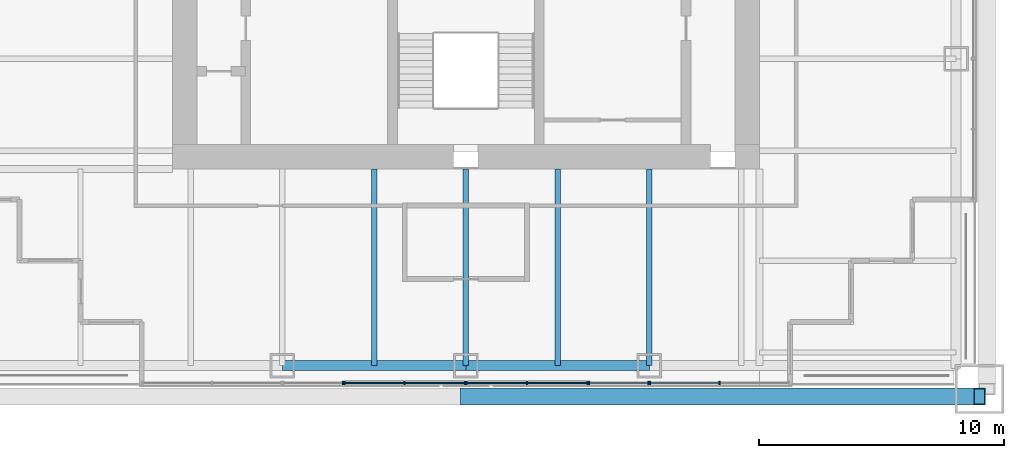
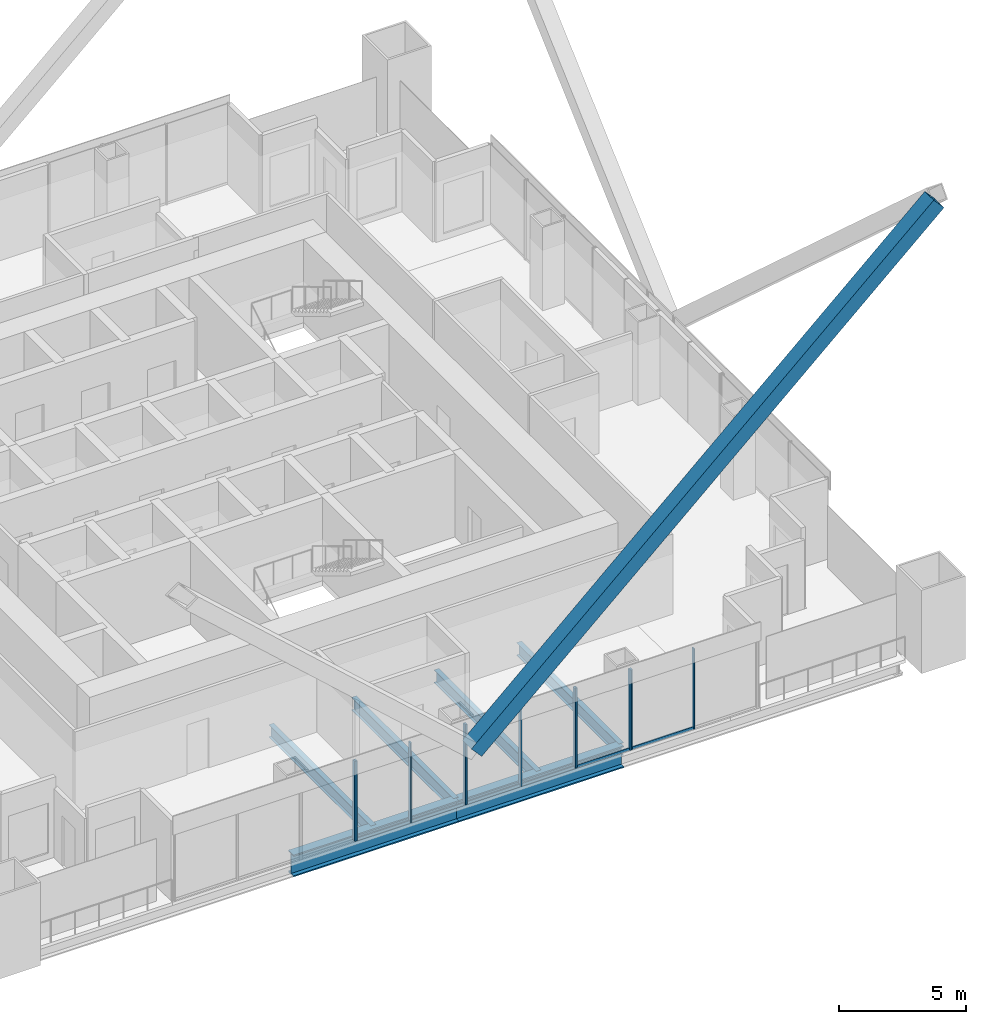
# One storey, part 4 of 19: 18 members, 6 beams, 5 elements without a shape of their own.
"""IFC4 building model written with IfcOpenShell, lengths in metres."""

from ifc_helpers import new_model, si_unit, direction, frame, origin, origin_2d, place, context, subcontext, project, spatial, rectangle, hollow_rectangle, i_section, extrude, material, material_profile, profile_set, type_object, element, aggregate, save


model = new_model("IFC4")

# Units and contexts
model_context = context("Model", 3, precision=1e-05, world=origin(), true_north=direction((0.0, 1.0)))
body_context = subcontext(model_context, "Body", "Model", "MODEL_VIEW")
ifc_project = project(units=[si_unit("LENGTHUNIT", "METRE"), si_unit("AREAUNIT", "SQUARE_METRE"), si_unit("VOLUMEUNIT", "CUBIC_METRE"), si_unit("PLANEANGLEUNIT", "RADIAN"), si_unit("MASSUNIT", "GRAM", prefix="KILO")], contexts=[model_context])

# Site, building, storey
site_placement = place(None, origin())
site = spatial("IfcSite", under=ifc_project, at=site_placement, CompositionType="ELEMENT")
building_placement = place(site_placement, origin())
building = spatial("IfcBuilding", under=site, at=building_placement, Name="Tarangal Relay Tower", CompositionType="ELEMENT")
storey_placement = place(building_placement, frame((0.0, 0.0, 275.89990234375)))
storey = spatial("IfcBuildingStorey", under=building, at=storey_placement, Name="L60", CompositionType="ELEMENT", Elevation=275.89990234375)

# Beams
ifc_material_1 = material(Name="Steel ASTM A992", Category="steel")
ifc_material_profile_1 = material_profile(ifc_material_1, i_section(OverallWidth=0.41162109375, OverallDepth=1.049072265625, WebThickness=0.033935546875, FlangeThickness=0.059814453125, at=origin_2d()), Name="W40X431")
ifc_profile_set_1 = profile_set([ifc_material_profile_1], Name="Steel ASTM A992")
beam_type_1 = type_object("IfcBeamType", Name="Edge girder W40X431", PredefinedType="SPANDREL", material=ifc_profile_set_1)
for number, where, z_axis, x_axis, name in (
    (1, (7.5, -20.0400390625, -0.67431640625), (-1.0, 0.0, 0.0), (0.0, -1.0, 0.0), "Edge girder EG1 S L60"),
    (2, (0.0, -20.0400390625, -0.67431640625), (-1.0, 0.0, 0.0), (0.0, -1.0, 0.0), "Edge girder EG1 S L60"),
):
    element("IfcBeam", number, at=place(storey_placement, frame(where, z_axis=z_axis, x_axis=x_axis)), inside=storey, type_object=beam_type_1, Name=name, PredefinedType="SPANDREL", context=body_context, shape_type="SweptSolid", body=[
        extrude(i_section(OverallWidth=0.41162109375, OverallDepth=1.049072265625, WebThickness=0.033935546875, FlangeThickness=0.059814453125, at=origin_2d()), origin(), (0.0, 0.0, 1.0), 7.5),
    ])
ifc_material_profile_2 = material_profile(ifc_material_1, i_section(OverallWidth=0.228271484375, OverallDepth=0.607177734375, WebThickness=0.01123046875, FlangeThickness=0.017333984375, at=origin_2d()), Name="W24X76")
ifc_profile_set_2 = profile_set([ifc_material_profile_2], Name="Steel ASTM A992")
beam_type_2 = type_object("IfcBeamType", Name="Floor beam W24X76", PredefinedType="BEAM", material=ifc_profile_set_2)
for number, where, z_axis, x_axis, name in (
    (3, (7.5, -12.0, -0.453369140625), (0.0, -1.0, 0.0), (1.0, 0.0, 0.0), "Floor beam RB5 S L60"),
    (4, (3.75, -12.0, -0.453369140625), (0.0, -1.0, 0.0), (1.0, 0.0, 0.0), "Floor beam RB5 S L60"),
    (5, (0.0, -12.0, -0.453369140625), (0.0, -1.0, 0.0), (1.0, 0.0, 0.0), "Floor beam RB5 S L60"),
    (6, (-3.75, -12.0, -0.453369140625), (0.0, -1.0, 0.0), (1.0, 0.0, 0.0), "Floor beam RB5 S L60"),
):
    element("IfcBeam", number, at=place(storey_placement, frame(where, z_axis=z_axis, x_axis=x_axis)), inside=storey, type_object=beam_type_2, Name=name, PredefinedType="BEAM", context=body_context, shape_type="SweptSolid", body=[
        extrude(i_section(OverallWidth=0.228271484375, OverallDepth=0.607177734375, WebThickness=0.01123046875, FlangeThickness=0.017333984375, at=origin_2d()), origin(), (0.0, 0.0, 1.0), 8.0400390625),
    ])

# Member
ifc_material_2 = material(Name="Steel ASTM A572 Grade 50", Category="steel")
ifc_material_profile_3 = material_profile(ifc_material_2, hollow_rectangle(XDim=0.699951171875, YDim=0.699951171875, WallThickness=0.052001953125, at=origin_2d()), Name="BOX700X700X52")
ifc_profile_set_3 = profile_set([ifc_material_profile_3], Name="Steel ASTM A572 Grade 50")
member_type_1 = type_object("IfcMemberType", Name="Mega brace BOX700X700X52", PredefinedType="BRACE", material=ifc_profile_set_3)
member_1_placement = place(storey_placement, frame((0.0, -21.300048828125, 3.0), z_axis=(0.741535779124, 0.0, 0.670913323969), x_axis=(0.0, 1.0, 0.0)))
element("IfcMember", 7, at=member_1_placement, inside=storey, type_object=member_type_1, Name="Mega brace MB4 S face module 1", PredefinedType="BRACE", context=body_context, shape_type="SweptSolid", body=[
    extrude(hollow_rectangle(XDim=0.699951171875, YDim=0.699951171875, WallThickness=0.052001953125, at=origin_2d()), origin(), (0.0, 0.0, 1.0), 28.319580078125),
])

# Curtain wall, members
ifc_material_3 = material(Name="Unitised curtain wall, dark glass and black aluminium", Category="aluminium")
curtain_wall_type_1 = type_object("IfcCurtainWallType", Name="Curtain wall CW-B", PredefinedType="USERDEFINED", material=ifc_material_3)
curtain_wall_1_placement = place(storey_placement, origin())
curtain_wall_1 = element("IfcCurtainWall", 8, at=curtain_wall_1_placement, inside=storey, type_object=curtain_wall_type_1, Name="Curtain wall CW-B S facade L60", ObjectType="UNITISED CURTAIN WALL", PredefinedType="USERDEFINED")
ifc_material_4 = material(Name="Black anodised aluminium mullion", Category="aluminium")
ifc_material_profile_4 = material_profile(ifc_material_4, rectangle(XDim=0.159912109375, YDim=0.06005859375, at=origin_2d()), Name="CW-BM 60X160")
ifc_profile_set_4 = profile_set([ifc_material_profile_4], Name="Black anodised aluminium mullion")
member_type_2 = type_object("IfcMemberType", Name="Mullion CW-B 60 x 160", PredefinedType="MULLION", material=ifc_profile_set_4)
member_2_placement = place(storey_placement, frame((10.375, -20.75, 0.0), z_axis=(0.0, 0.0, 1.0), x_axis=(0.0, -1.0, 0.0)))
member_2 = element("IfcMember", 9, at=member_2_placement, type_object=member_type_2, Name="CW-B mullion 2", PredefinedType="MULLION", context=body_context, shape_type="SweptSolid", body=[
    extrude(rectangle(XDim=0.159912109375, YDim=0.06005859375, at=origin_2d()), origin(), (0.0, 0.0, 1.0), 3.85009765625),
])
member_3_placement = place(storey_placement, frame((7.530029296875, -20.75, 0.0), z_axis=(0.0, 0.0, 1.0), x_axis=(0.0, -1.0, 0.0)))
member_3 = element("IfcMember", 10, at=member_3_placement, type_object=member_type_2, Name="CW-B mullion 3", PredefinedType="MULLION", context=body_context, shape_type="SweptSolid", body=[
    extrude(rectangle(XDim=0.159912109375, YDim=0.06005859375, at=origin_2d()), origin(), (0.0, 0.0, 1.0), 3.85009765625),
])

curtain_wall_2_placement = place(storey_placement, origin())
curtain_wall_2 = element("IfcCurtainWall", 11, at=curtain_wall_2_placement, inside=storey, type_object=curtain_wall_type_1, Name="Curtain wall CW-B S facade L60", ObjectType="UNITISED CURTAIN WALL", PredefinedType="USERDEFINED")
member_4_placement = place(storey_placement, frame((7.469970703125, -20.75, 0.0), z_axis=(0.0, 0.0, 1.0), x_axis=(0.0, -1.0, 0.0)))
member_4 = element("IfcMember", 12, at=member_4_placement, type_object=member_type_2, Name="CW-B mullion 1", PredefinedType="MULLION", context=body_context, shape_type="SweptSolid", body=[
    extrude(rectangle(XDim=0.159912109375, YDim=0.06005859375, at=origin_2d()), origin(), (0.0, 0.0, 1.0), 3.85009765625),
])
member_5_placement = place(storey_placement, frame((5.030029296875, -20.75, 0.0), z_axis=(0.0, 0.0, 1.0), x_axis=(0.0, -1.0, 0.0)))
member_5 = element("IfcMember", 13, at=member_5_placement, type_object=member_type_2, Name="CW-B mullion 2", PredefinedType="MULLION", context=body_context, shape_type="SweptSolid", body=[
    extrude(rectangle(XDim=0.159912109375, YDim=0.06005859375, at=origin_2d()), origin(), (0.0, 0.0, 1.0), 3.85009765625),
])

# Curtain wall, member
curtain_wall_3_placement = place(storey_placement, origin())
curtain_wall_3 = element("IfcCurtainWall", 14, at=curtain_wall_3_placement, inside=storey, type_object=curtain_wall_type_1, Name="Curtain wall CW-B S facade L60", ObjectType="UNITISED CURTAIN WALL", PredefinedType="USERDEFINED")
member_6_placement = place(storey_placement, frame((-5.030029296875, -20.75, 0.0), z_axis=(0.0, 0.0, 1.0), x_axis=(0.0, -1.0, 0.0)))
member_6 = element("IfcMember", 15, at=member_6_placement, type_object=member_type_2, Name="CW-B mullion 1", PredefinedType="MULLION", context=body_context, shape_type="SweptSolid", body=[
    extrude(rectangle(XDim=0.159912109375, YDim=0.06005859375, at=origin_2d()), origin(), (0.0, 0.0, 1.0), 3.85009765625),
])
aggregate(curtain_wall_3, [member_6])

# Curtain wall, members
ifc_material_5 = material(Name="Unitised curtain wall frame, black aluminium, with metal clad infill walls", Category="aluminium")
curtain_wall_type_2 = type_object("IfcCurtainWallType", Name="Curtain wall CW-BO", PredefinedType="USERDEFINED", material=ifc_material_5)
curtain_wall_4_placement = place(storey_placement, origin())
curtain_wall_4 = element("IfcCurtainWall", 16, at=curtain_wall_4_placement, inside=storey, type_object=curtain_wall_type_2, Name="Curtain wall CW-BO S facade L60", ObjectType="UNITISED CURTAIN WALL", PredefinedType="USERDEFINED")
ifc_material_profile_5 = material_profile(ifc_material_4, rectangle(XDim=0.159912109375, YDim=0.06005859375, at=origin_2d()), Name="CW-BOM 60X160")
ifc_profile_set_5 = profile_set([ifc_material_profile_5], Name="Black anodised aluminium mullion")
member_type_3 = type_object("IfcMemberType", Name="Mullion CW-BO 60 x 160", PredefinedType="MULLION", material=ifc_profile_set_5)
member_7_placement = place(storey_placement, frame((4.969970703125, -20.75, 0.0), z_axis=(0.0, 0.0, 1.0), x_axis=(0.0, -1.0, 0.0)))
member_7 = element("IfcMember", 17, at=member_7_placement, type_object=member_type_3, Name="CW-BO mullion 1", PredefinedType="MULLION", context=body_context, shape_type="SweptSolid", body=[
    extrude(rectangle(XDim=0.159912109375, YDim=0.06005859375, at=origin_2d()), origin(), (0.0, 0.0, 1.0), 3.85009765625),
])
member_8_placement = place(storey_placement, frame((2.5, -20.75, 0.0), z_axis=(0.0, 0.0, 1.0), x_axis=(0.0, -1.0, 0.0)))
member_8 = element("IfcMember", 18, at=member_8_placement, type_object=member_type_3, Name="CW-BO mullion 2", PredefinedType="MULLION", context=body_context, shape_type="SweptSolid", body=[
    extrude(rectangle(XDim=0.159912109375, YDim=0.06005859375, at=origin_2d()), origin(), (0.0, 0.0, 1.0), 3.85009765625),
])
member_9_placement = place(storey_placement, frame((0.030029296875, -20.75, 0.0), z_axis=(0.0, 0.0, 1.0), x_axis=(0.0, -1.0, 0.0)))
member_9 = element("IfcMember", 19, at=member_9_placement, type_object=member_type_3, Name="CW-BO mullion 3", PredefinedType="MULLION", context=body_context, shape_type="SweptSolid", body=[
    extrude(rectangle(XDim=0.159912109375, YDim=0.06005859375, at=origin_2d()), origin(), (0.0, 0.0, 1.0), 3.85009765625),
])

curtain_wall_5_placement = place(storey_placement, origin())
curtain_wall_5 = element("IfcCurtainWall", 20, at=curtain_wall_5_placement, inside=storey, type_object=curtain_wall_type_2, Name="Curtain wall CW-BO S facade L60", ObjectType="UNITISED CURTAIN WALL", PredefinedType="USERDEFINED")
member_10_placement = place(storey_placement, frame((-0.030029296875, -20.75, 0.0), z_axis=(0.0, 0.0, 1.0), x_axis=(0.0, -1.0, 0.0)))
member_10 = element("IfcMember", 21, at=member_10_placement, type_object=member_type_3, Name="CW-BO mullion 1", PredefinedType="MULLION", context=body_context, shape_type="SweptSolid", body=[
    extrude(rectangle(XDim=0.159912109375, YDim=0.06005859375, at=origin_2d()), origin(), (0.0, 0.0, 1.0), 3.85009765625),
])
member_11_placement = place(storey_placement, frame((-2.5, -20.75, 0.0), z_axis=(0.0, 0.0, 1.0), x_axis=(0.0, -1.0, 0.0)))
member_11 = element("IfcMember", 22, at=member_11_placement, type_object=member_type_3, Name="CW-BO mullion 2", PredefinedType="MULLION", context=body_context, shape_type="SweptSolid", body=[
    extrude(rectangle(XDim=0.159912109375, YDim=0.06005859375, at=origin_2d()), origin(), (0.0, 0.0, 1.0), 3.85009765625),
])
member_12_placement = place(storey_placement, frame((-4.969970703125, -20.75, 0.0), z_axis=(0.0, 0.0, 1.0), x_axis=(0.0, -1.0, 0.0)))
member_12 = element("IfcMember", 23, at=member_12_placement, type_object=member_type_3, Name="CW-BO mullion 3", PredefinedType="MULLION", context=body_context, shape_type="SweptSolid", body=[
    extrude(rectangle(XDim=0.159912109375, YDim=0.06005859375, at=origin_2d()), origin(), (0.0, 0.0, 1.0), 3.85009765625),
])

# Member
ifc_material_6 = material(Name="Black anodised aluminium transom", Category="aluminium")
ifc_material_profile_6 = material_profile(ifc_material_6, rectangle(XDim=0.06005859375, YDim=0.1298828125, at=origin_2d()), Name="CW-BT 60X130")
ifc_profile_set_6 = profile_set([ifc_material_profile_6], Name="Black anodised aluminium transom")
member_type_4 = type_object("IfcMemberType", Name="Transom CW-B 60 x 130", PredefinedType="USERDEFINED", material=ifc_profile_set_6)
member_13_placement = place(storey_placement, frame((10.344970703125, -20.75, 0.030029296875), z_axis=(-1.0, 0.0, 0.0), x_axis=(0.0, -1.0, 0.0)))
member_13 = element("IfcMember", 24, at=member_13_placement, type_object=member_type_4, Name="CW-B transom 2.1", ObjectType="TRANSOM", PredefinedType="USERDEFINED", context=body_context, shape_type="SweptSolid", body=[
    extrude(rectangle(XDim=0.06005859375, YDim=0.1298828125, at=origin_2d()), origin(), (0.0, 0.0, 1.0), 2.784912109375),
])

aggregate(curtain_wall_1, [member_2, member_3, member_13])

member_14_placement = place(storey_placement, frame((7.43994140625, -20.75, 0.030029296875), z_axis=(-1.0, 0.0, 0.0), x_axis=(0.0, -1.0, 0.0)))
member_14 = element("IfcMember", 25, at=member_14_placement, type_object=member_type_4, Name="CW-B transom 1.1", ObjectType="TRANSOM", PredefinedType="USERDEFINED", context=body_context, shape_type="SweptSolid", body=[
    extrude(rectangle(XDim=0.06005859375, YDim=0.1298828125, at=origin_2d()), origin(), (0.0, 0.0, 1.0), 2.3798828125),
])

aggregate(curtain_wall_2, [member_4, member_5, member_14])

ifc_material_profile_7 = material_profile(ifc_material_6, rectangle(XDim=0.06005859375, YDim=0.1298828125, at=origin_2d()), Name="CW-BOT 60X130")
ifc_profile_set_7 = profile_set([ifc_material_profile_7], Name="Black anodised aluminium transom")
member_type_5 = type_object("IfcMemberType", Name="Transom CW-BO 60 x 130", PredefinedType="USERDEFINED", material=ifc_profile_set_7)
member_15_placement = place(storey_placement, frame((4.93994140625, -20.75, 0.030029296875), z_axis=(-1.0, 0.0, 0.0), x_axis=(0.0, -1.0, 0.0)))
member_15 = element("IfcMember", 26, at=member_15_placement, type_object=member_type_5, Name="CW-BO transom 1.1", ObjectType="TRANSOM", PredefinedType="USERDEFINED", context=body_context, shape_type="SweptSolid", body=[
    extrude(rectangle(XDim=0.06005859375, YDim=0.1298828125, at=origin_2d()), origin(), (0.0, 0.0, 1.0), 2.409912109375),
])

member_16_placement = place(storey_placement, frame((2.469970703125, -20.75, 0.030029296875), z_axis=(-1.0, 0.0, 0.0), x_axis=(0.0, -1.0, 0.0)))
member_16 = element("IfcMember", 27, at=member_16_placement, type_object=member_type_5, Name="CW-BO transom 2.1", ObjectType="TRANSOM", PredefinedType="USERDEFINED", context=body_context, shape_type="SweptSolid", body=[
    extrude(rectangle(XDim=0.06005859375, YDim=0.1298828125, at=origin_2d()), origin(), (0.0, 0.0, 1.0), 2.409912109375),
])

aggregate(curtain_wall_4, [member_7, member_8, member_9, member_15, member_16])

member_17_placement = place(storey_placement, frame((-0.06005859375, -20.75, 0.030029296875), z_axis=(-1.0, 0.0, 0.0), x_axis=(0.0, -1.0, 0.0)))
member_17 = element("IfcMember", 28, at=member_17_placement, type_object=member_type_5, Name="CW-BO transom 1.1", ObjectType="TRANSOM", PredefinedType="USERDEFINED", context=body_context, shape_type="SweptSolid", body=[
    extrude(rectangle(XDim=0.06005859375, YDim=0.1298828125, at=origin_2d()), origin(), (0.0, 0.0, 1.0), 2.409912109375),
])

member_18_placement = place(storey_placement, frame((-2.530029296875, -20.75, 0.030029296875), z_axis=(-1.0, 0.0, 0.0), x_axis=(0.0, -1.0, 0.0)))
member_18 = element("IfcMember", 29, at=member_18_placement, type_object=member_type_5, Name="CW-BO transom 2.1", ObjectType="TRANSOM", PredefinedType="USERDEFINED", context=body_context, shape_type="SweptSolid", body=[
    extrude(rectangle(XDim=0.06005859375, YDim=0.1298828125, at=origin_2d()), origin(), (0.0, 0.0, 1.0), 2.409912109375),
])

aggregate(curtain_wall_5, [member_10, member_11, member_12, member_17, member_18])

save(model, "model.ifc")
